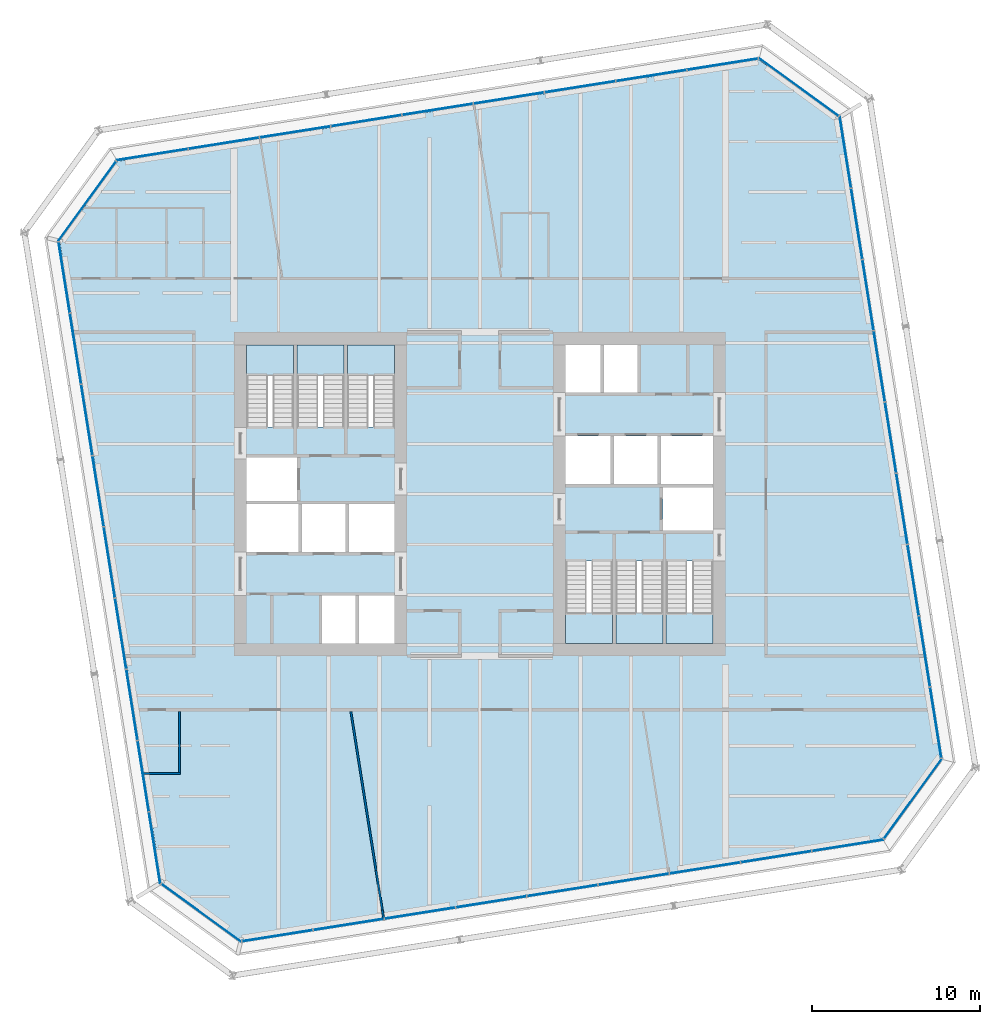
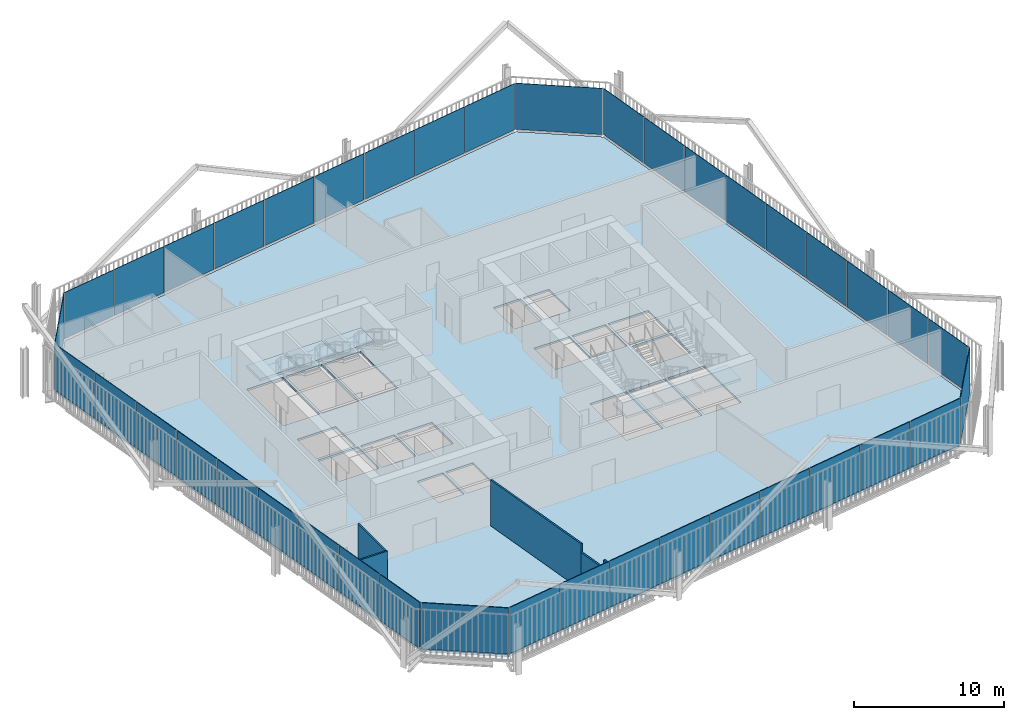
# One storey, part 14 of 19: 40 plates, 7 slabs, 5 walls, 14 elements without a shape of their own.
"""IFC4 building model written with IfcOpenShell, lengths in metres."""

from ifc_helpers import new_model, si_unit, direction, frame, frame_2d, origin, place, context, subcontext, project, spatial, polyline, rectangle, outline, extrude, material, layer, layer_set, type_object, element, aggregate, save


model = new_model("IFC4")

# Units and contexts
model_context = context("Model", 3, precision=1e-05, world=origin(), true_north=direction((0.0, 1.0)))
body_context = subcontext(model_context, "Body", "Model", "MODEL_VIEW")
ifc_project = project(units=[si_unit("LENGTHUNIT", "METRE"), si_unit("AREAUNIT", "SQUARE_METRE"), si_unit("VOLUMEUNIT", "CUBIC_METRE"), si_unit("PLANEANGLEUNIT", "RADIAN"), si_unit("MASSUNIT", "GRAM", prefix="KILO")], contexts=[model_context])

# Site, building, storey
site_placement = place(None, origin())
site = spatial("IfcSite", under=ifc_project, at=site_placement, CompositionType="ELEMENT")
building_placement = place(site_placement, origin())
building = spatial("IfcBuilding", under=site, at=building_placement, Name="Millrace Tower", CompositionType="ELEMENT")
storey_placement = place(building_placement, frame((0.0, 0.0, 129.5)))
storey = spatial("IfcBuildingStorey", under=building, at=storey_placement, Name="L28", CompositionType="ELEMENT", Elevation=129.5)

# Curtain wall, plate
ifc_material_1 = material(Name="Aluminium and glass", Category="aluminium")
ifc_layer_1 = layer(ifc_material_1, 0.14990234375)
ifc_layer_set_1 = layer_set([ifc_layer_1], Name="Aluminium and glass")
curtain_wall_type = type_object("IfcCurtainWallType", Name="CW-1 office vision curtain wall", PredefinedType="NOTDEFINED", material=ifc_layer_set_1)
placement_1 = place(storey_placement, origin())
curtain_wall_1 = element("IfcCurtainWall", 1, at=placement_1, inside=storey, type_object=curtain_wall_type, Name="Curtain wall C-F01 L28", PredefinedType="NOTDEFINED")
ifc_material_2 = material(Name="Glass", Category="glass")
ifc_layer_2 = layer(ifc_material_2, 0.0439453125)
ifc_layer_set_2 = layer_set([ifc_layer_2], Name="Glass")
plate_type = type_object("IfcPlateType", Name="CW-1 office vision curtain wall triple-glazed vision panel", PredefinedType="CURTAIN_PANEL", material=ifc_layer_set_2)
placement_2 = place(storey_placement, frame((0.0, 0.0, 0.139892578125)))
plate_1 = element("IfcPlate", 2, at=placement_2, type_object=plate_type, Name="CW1 panel C-F01.1", PredefinedType="CURTAIN_PANEL", context=body_context, shape_type="SweptSolid", body=[
    extrude(outline(polyline([(-18.988037109375, -23.254638671875), (-14.260009765625, -26.689697265625), (-14.2490234375, -26.6435546875), (-18.962158203125, -23.218994140625), (-18.988037109375, -23.254638671875)])), origin(), (0.0, 0.0, 1.0), 3.760009765625),
])
aggregate(curtain_wall_1, [plate_1])

# Curtain wall, plates
curtain_wall_2 = element("IfcCurtainWall", 3, at=placement_1, inside=storey, type_object=curtain_wall_type, Name="Curtain wall C-F02 L28", PredefinedType="NOTDEFINED")
plate_2 = element("IfcPlate", 4, at=placement_2, type_object=plate_type, Name="CW1 panel C-F02.1", PredefinedType="CURTAIN_PANEL", context=body_context, shape_type="SweptSolid", body=[
    extrude(outline(polyline([(-14.15625, -26.67333984375), (-9.973388671875, -26.0107421875), (-9.980224609375, -25.96728515625), (-14.1630859375, -26.6298828125), (-14.15625, -26.67333984375)])), origin(), (0.0, 0.0, 1.0), 3.760009765625),
])
plate_3 = element("IfcPlate", 5, at=placement_2, type_object=plate_type, Name="CW1 panel C-F02.2", PredefinedType="CURTAIN_PANEL", context=body_context, shape_type="SweptSolid", body=[
    extrude(outline(polyline([(-9.9091796875, -26.000732421875), (-5.726318359375, -25.338134765625), (-5.733154296875, -25.294677734375), (-9.916015625, -25.957275390625), (-9.9091796875, -26.000732421875)])), origin(), (0.0, 0.0, 1.0), 3.760009765625),
])
plate_4 = element("IfcPlate", 6, at=placement_2, type_object=plate_type, Name="CW1 panel C-F02.3", PredefinedType="CURTAIN_PANEL", context=body_context, shape_type="SweptSolid", body=[
    extrude(outline(polyline([(-5.662109375, -25.327880859375), (-1.479248046875, -24.66552734375), (-1.486083984375, -24.6220703125), (-5.6689453125, -25.284423828125), (-5.662109375, -25.327880859375)])), origin(), (0.0, 0.0, 1.0), 3.760009765625),
])
plate_5 = element("IfcPlate", 7, at=placement_2, type_object=plate_type, Name="CW1 panel C-F02.4", PredefinedType="CURTAIN_PANEL", context=body_context, shape_type="SweptSolid", body=[
    extrude(outline(polyline([(-1.4150390625, -24.6552734375), (2.767822265625, -23.992919921875), (2.760986328125, -23.949462890625), (-1.421875, -24.61181640625), (-1.4150390625, -24.6552734375)])), origin(), (0.0, 0.0, 1.0), 3.760009765625),
])
plate_6 = element("IfcPlate", 8, at=placement_2, type_object=plate_type, Name="CW1 panel C-F02.5", PredefinedType="CURTAIN_PANEL", context=body_context, shape_type="SweptSolid", body=[
    extrude(outline(polyline([(2.83203125, -23.982666015625), (7.014892578125, -23.320068359375), (7.008056640625, -23.276611328125), (2.8251953125, -23.939208984375), (2.83203125, -23.982666015625)])), origin(), (0.0, 0.0, 1.0), 3.760009765625),
])
plate_7 = element("IfcPlate", 9, at=placement_2, type_object=plate_type, Name="CW1 panel C-F02.6", PredefinedType="CURTAIN_PANEL", context=body_context, shape_type="SweptSolid", body=[
    extrude(outline(polyline([(7.0791015625, -23.31005859375), (11.261962890625, -22.6474609375), (11.255126953125, -22.60400390625), (7.072265625, -23.2666015625), (7.0791015625, -23.31005859375)])), origin(), (0.0, 0.0, 1.0), 3.760009765625),
])
plate_8 = element("IfcPlate", 10, at=placement_2, type_object=plate_type, Name="CW1 panel C-F02.7", PredefinedType="CURTAIN_PANEL", context=body_context, shape_type="SweptSolid", body=[
    extrude(outline(polyline([(11.326171875, -22.63720703125), (15.509033203125, -21.974853515625), (15.502197265625, -21.931396484375), (11.3193359375, -22.59375), (11.326171875, -22.63720703125)])), origin(), (0.0, 0.0, 1.0), 3.760009765625),
])
plate_9 = element("IfcPlate", 11, at=placement_2, type_object=plate_type, Name="CW1 panel C-F02.8", PredefinedType="CURTAIN_PANEL", context=body_context, shape_type="SweptSolid", body=[
    extrude(outline(polyline([(15.5732421875, -21.964599609375), (19.756103515625, -21.30224609375), (19.749267578125, -21.2587890625), (15.56640625, -21.921142578125), (15.5732421875, -21.964599609375)])), origin(), (0.0, 0.0, 1.0), 3.760009765625),
])
plate_10 = element("IfcPlate", 12, at=placement_2, type_object=plate_type, Name="CW1 panel C-F02.9", PredefinedType="CURTAIN_PANEL", context=body_context, shape_type="SweptSolid", body=[
    extrude(outline(polyline([(19.8203125, -21.2919921875), (24.042724609375, -20.623291015625), (24.01806640625, -20.58251953125), (19.8134765625, -21.24853515625), (19.8203125, -21.2919921875)])), origin(), (0.0, 0.0, 1.0), 3.760009765625),
])
aggregate(curtain_wall_2, [plate_2, plate_3, plate_4, plate_5, plate_6, plate_7, plate_8, plate_9, plate_10])

# Curtain wall, plate
curtain_wall_3 = element("IfcCurtainWall", 13, at=placement_1, inside=storey, type_object=curtain_wall_type, Name="Curtain wall C-F03 L28", PredefinedType="NOTDEFINED")
plate_11 = element("IfcPlate", 14, at=placement_2, type_object=plate_type, Name="CW1 panel C-F03.1", PredefinedType="CURTAIN_PANEL", context=body_context, shape_type="SweptSolid", body=[
    extrude(outline(polyline([(24.104736328125, -20.5380859375), (27.539794921875, -15.81005859375), (27.493408203125, -15.799072265625), (24.069091796875, -20.51220703125), (24.104736328125, -20.5380859375)])), origin(), (0.0, 0.0, 1.0), 3.760009765625),
])
aggregate(curtain_wall_3, [plate_11])

# Curtain wall, plates
curtain_wall_4 = element("IfcCurtainWall", 15, at=placement_1, inside=storey, type_object=curtain_wall_type, Name="Curtain wall C-F04 L28", PredefinedType="NOTDEFINED")
plate_12 = element("IfcPlate", 16, at=placement_2, type_object=plate_type, Name="CW1 panel C-F04.1", PredefinedType="CURTAIN_PANEL", context=body_context, shape_type="SweptSolid", body=[
    extrude(outline(polyline([(27.5234375, -15.706298828125), (26.86083984375, -11.5234375), (26.8173828125, -11.5302734375), (27.47998046875, -15.713134765625), (27.5234375, -15.706298828125)])), origin(), (0.0, 0.0, 1.0), 3.760009765625),
])
plate_13 = element("IfcPlate", 17, at=placement_2, type_object=plate_type, Name="CW1 panel C-F04.2", PredefinedType="CURTAIN_PANEL", context=body_context, shape_type="SweptSolid", body=[
    extrude(outline(polyline([(26.8505859375, -11.459228515625), (26.188232421875, -7.2763671875), (26.144775390625, -7.283203125), (26.80712890625, -11.466064453125), (26.8505859375, -11.459228515625)])), origin(), (0.0, 0.0, 1.0), 3.760009765625),
])
plate_14 = element("IfcPlate", 18, at=placement_2, type_object=plate_type, Name="CW1 panel C-F04.3", PredefinedType="CURTAIN_PANEL", context=body_context, shape_type="SweptSolid", body=[
    extrude(outline(polyline([(26.177978515625, -7.212158203125), (25.515380859375, -3.029296875), (25.471923828125, -3.0361328125), (26.134521484375, -7.218994140625), (26.177978515625, -7.212158203125)])), origin(), (0.0, 0.0, 1.0), 3.760009765625),
])
plate_15 = element("IfcPlate", 19, at=placement_2, type_object=plate_type, Name="CW1 panel C-F04.4", PredefinedType="CURTAIN_PANEL", context=body_context, shape_type="SweptSolid", body=[
    extrude(outline(polyline([(25.50537109375, -2.965087890625), (24.8427734375, 1.2177734375), (24.79931640625, 1.2109375), (25.4619140625, -2.971923828125), (25.50537109375, -2.965087890625)])), origin(), (0.0, 0.0, 1.0), 3.760009765625),
])
plate_16 = element("IfcPlate", 20, at=placement_2, type_object=plate_type, Name="CW1 panel C-F04.5", PredefinedType="CURTAIN_PANEL", context=body_context, shape_type="SweptSolid", body=[
    extrude(outline(polyline([(24.832763671875, 1.281982421875), (24.170166015625, 5.46484375), (24.126708984375, 5.4580078125), (24.789306640625, 1.275146484375), (24.832763671875, 1.281982421875)])), origin(), (0.0, 0.0, 1.0), 3.760009765625),
])
plate_17 = element("IfcPlate", 21, at=placement_2, type_object=plate_type, Name="CW1 panel C-F04.6", PredefinedType="CURTAIN_PANEL", context=body_context, shape_type="SweptSolid", body=[
    extrude(outline(polyline([(24.159912109375, 5.529052734375), (23.49755859375, 9.7119140625), (23.4541015625, 9.705078125), (24.116455078125, 5.522216796875), (24.159912109375, 5.529052734375)])), origin(), (0.0, 0.0, 1.0), 3.760009765625),
])
plate_18 = element("IfcPlate", 22, at=placement_2, type_object=plate_type, Name="CW1 panel C-F04.7", PredefinedType="CURTAIN_PANEL", context=body_context, shape_type="SweptSolid", body=[
    extrude(outline(polyline([(23.4873046875, 9.776123046875), (22.82470703125, 13.958984375), (22.78125, 13.9521484375), (23.44384765625, 9.769287109375), (23.4873046875, 9.776123046875)])), origin(), (0.0, 0.0, 1.0), 3.760009765625),
])
plate_19 = element("IfcPlate", 23, at=placement_2, type_object=plate_type, Name="CW1 panel C-F04.8", PredefinedType="CURTAIN_PANEL", context=body_context, shape_type="SweptSolid", body=[
    extrude(outline(polyline([(22.814697265625, 14.023193359375), (22.152099609375, 18.2060546875), (22.108642578125, 18.19921875), (22.771240234375, 14.016357421875), (22.814697265625, 14.023193359375)])), origin(), (0.0, 0.0, 1.0), 3.760009765625),
])
plate_20 = element("IfcPlate", 24, at=placement_2, type_object=plate_type, Name="CW1 panel C-F04.9", PredefinedType="CURTAIN_PANEL", context=body_context, shape_type="SweptSolid", body=[
    extrude(outline(polyline([(22.14208984375, 18.270263671875), (21.47314453125, 22.492919921875), (21.4326171875, 22.468017578125), (22.0986328125, 18.263427734375), (22.14208984375, 18.270263671875)])), origin(), (0.0, 0.0, 1.0), 3.760009765625),
])
aggregate(curtain_wall_4, [plate_12, plate_13, plate_14, plate_15, plate_16, plate_17, plate_18, plate_19, plate_20])

# Curtain wall, plate
curtain_wall_5 = element("IfcCurtainWall", 25, at=placement_1, inside=storey, type_object=curtain_wall_type, Name="Curtain wall C-F05 L28", PredefinedType="NOTDEFINED")
plate_21 = element("IfcPlate", 26, at=placement_2, type_object=plate_type, Name="CW1 panel C-F05.1", PredefinedType="CURTAIN_PANEL", context=body_context, shape_type="SweptSolid", body=[
    extrude(outline(polyline([(21.38818359375, 22.5546875), (16.66015625, 25.98974609375), (16.64892578125, 25.943359375), (21.3623046875, 22.51904296875), (21.38818359375, 22.5546875)])), origin(), (0.0, 0.0, 1.0), 3.760009765625),
])
aggregate(curtain_wall_5, [plate_21])

# Curtain wall, plates
curtain_wall_6 = element("IfcCurtainWall", 27, at=placement_1, inside=storey, type_object=curtain_wall_type, Name="Curtain wall C-F06 L28", PredefinedType="NOTDEFINED")
plate_22 = element("IfcPlate", 28, at=placement_2, type_object=plate_type, Name="CW1 panel C-F06.1", PredefinedType="CURTAIN_PANEL", context=body_context, shape_type="SweptSolid", body=[
    extrude(outline(polyline([(16.55615234375, 25.973388671875), (12.373291015625, 25.310791015625), (12.380126953125, 25.267333984375), (16.56298828125, 25.929931640625), (16.55615234375, 25.973388671875)])), origin(), (0.0, 0.0, 1.0), 3.760009765625),
])
plate_23 = element("IfcPlate", 29, at=placement_2, type_object=plate_type, Name="CW1 panel C-F06.2", PredefinedType="CURTAIN_PANEL", context=body_context, shape_type="SweptSolid", body=[
    extrude(outline(polyline([(12.30908203125, 25.300537109375), (8.126220703125, 24.63818359375), (8.133056640625, 24.5947265625), (12.31591796875, 25.257080078125), (12.30908203125, 25.300537109375)])), origin(), (0.0, 0.0, 1.0), 3.760009765625),
])
plate_24 = element("IfcPlate", 30, at=placement_2, type_object=plate_type, Name="CW1 panel C-F06.3", PredefinedType="CURTAIN_PANEL", context=body_context, shape_type="SweptSolid", body=[
    extrude(outline(polyline([(8.06201171875, 24.6279296875), (3.879150390625, 23.965576171875), (3.885986328125, 23.922119140625), (8.06884765625, 24.58447265625), (8.06201171875, 24.6279296875)])), origin(), (0.0, 0.0, 1.0), 3.760009765625),
])
plate_25 = element("IfcPlate", 31, at=placement_2, type_object=plate_type, Name="CW1 panel C-F06.4", PredefinedType="CURTAIN_PANEL", context=body_context, shape_type="SweptSolid", body=[
    extrude(outline(polyline([(3.81494140625, 23.955322265625), (-0.367919921875, 23.292724609375), (-0.361083984375, 23.249267578125), (3.82177734375, 23.911865234375), (3.81494140625, 23.955322265625)])), origin(), (0.0, 0.0, 1.0), 3.760009765625),
])
plate_26 = element("IfcPlate", 32, at=placement_2, type_object=plate_type, Name="CW1 panel C-F06.5", PredefinedType="CURTAIN_PANEL", context=body_context, shape_type="SweptSolid", body=[
    extrude(outline(polyline([(-0.43212890625, 23.28271484375), (-4.614990234375, 22.6201171875), (-4.60791015625, 22.57666015625), (-0.42529296875, 23.2392578125), (-0.43212890625, 23.28271484375)])), origin(), (0.0, 0.0, 1.0), 3.760009765625),
])
plate_27 = element("IfcPlate", 33, at=placement_2, type_object=plate_type, Name="CW1 panel C-F06.6", PredefinedType="CURTAIN_PANEL", context=body_context, shape_type="SweptSolid", body=[
    extrude(outline(polyline([(-4.67919921875, 22.60986328125), (-8.862060546875, 21.947509765625), (-8.85498046875, 21.904052734375), (-4.672119140625, 22.56640625), (-4.67919921875, 22.60986328125)])), origin(), (0.0, 0.0, 1.0), 3.760009765625),
])
plate_28 = element("IfcPlate", 34, at=placement_2, type_object=plate_type, Name="CW1 panel C-F06.7", PredefinedType="CURTAIN_PANEL", context=body_context, shape_type="SweptSolid", body=[
    extrude(outline(polyline([(-8.92626953125, 21.937255859375), (-13.109130859375, 21.27490234375), (-13.10205078125, 21.2314453125), (-8.919189453125, 21.893798828125), (-8.92626953125, 21.937255859375)])), origin(), (0.0, 0.0, 1.0), 3.760009765625),
])
plate_29 = element("IfcPlate", 35, at=placement_2, type_object=plate_type, Name="CW1 panel C-F06.8", PredefinedType="CURTAIN_PANEL", context=body_context, shape_type="SweptSolid", body=[
    extrude(outline(polyline([(-13.17333984375, 21.2646484375), (-17.356201171875, 20.60205078125), (-17.34912109375, 20.55859375), (-13.166259765625, 21.22119140625), (-13.17333984375, 21.2646484375)])), origin(), (0.0, 0.0, 1.0), 3.760009765625),
])
plate_30 = element("IfcPlate", 36, at=placement_2, type_object=plate_type, Name="CW1 panel C-F06.9", PredefinedType="CURTAIN_PANEL", context=body_context, shape_type="SweptSolid", body=[
    extrude(outline(polyline([(-17.42041015625, 20.592041015625), (-21.642822265625, 19.923095703125), (-21.617919921875, 19.882568359375), (-17.413330078125, 20.548583984375), (-17.42041015625, 20.592041015625)])), origin(), (0.0, 0.0, 1.0), 3.760009765625),
])
aggregate(curtain_wall_6, [plate_22, plate_23, plate_24, plate_25, plate_26, plate_27, plate_28, plate_29, plate_30])

# Curtain wall, plate
curtain_wall_7 = element("IfcCurtainWall", 37, at=placement_1, inside=storey, type_object=curtain_wall_type, Name="Curtain wall C-F07 L28", PredefinedType="NOTDEFINED")
plate_31 = element("IfcPlate", 38, at=placement_2, type_object=plate_type, Name="CW1 panel C-F07.1", PredefinedType="CURTAIN_PANEL", context=body_context, shape_type="SweptSolid", body=[
    extrude(outline(polyline([(-21.70458984375, 19.838134765625), (-25.139892578125, 15.110107421875), (-25.093505859375, 15.098876953125), (-21.6689453125, 19.812255859375), (-21.70458984375, 19.838134765625)])), origin(), (0.0, 0.0, 1.0), 3.760009765625),
])
aggregate(curtain_wall_7, [plate_31])

# Curtain wall, plates
curtain_wall_8 = element("IfcCurtainWall", 39, at=placement_1, inside=storey, type_object=curtain_wall_type, Name="Curtain wall C-F08 L28", PredefinedType="NOTDEFINED")
plate_32 = element("IfcPlate", 40, at=placement_2, type_object=plate_type, Name="CW1 panel C-F08.1", PredefinedType="CURTAIN_PANEL", context=body_context, shape_type="SweptSolid", body=[
    extrude(outline(polyline([(-25.123291015625, 15.006103515625), (-24.4609375, 10.8232421875), (-24.41748046875, 10.830322265625), (-25.079833984375, 15.01318359375), (-25.123291015625, 15.006103515625)])), origin(), (0.0, 0.0, 1.0), 3.760009765625),
])
plate_33 = element("IfcPlate", 41, at=placement_2, type_object=plate_type, Name="CW1 panel C-F08.2", PredefinedType="CURTAIN_PANEL", context=body_context, shape_type="SweptSolid", body=[
    extrude(outline(polyline([(-24.45068359375, 10.759033203125), (-23.7880859375, 6.576171875), (-23.74462890625, 6.583251953125), (-24.4072265625, 10.76611328125), (-24.45068359375, 10.759033203125)])), origin(), (0.0, 0.0, 1.0), 3.760009765625),
])
plate_34 = element("IfcPlate", 42, at=placement_2, type_object=plate_type, Name="CW1 panel C-F08.3", PredefinedType="CURTAIN_PANEL", context=body_context, shape_type="SweptSolid", body=[
    extrude(outline(polyline([(-23.778076171875, 6.511962890625), (-23.115478515625, 2.3291015625), (-23.072021484375, 2.336181640625), (-23.734619140625, 6.51904296875), (-23.778076171875, 6.511962890625)])), origin(), (0.0, 0.0, 1.0), 3.760009765625),
])
plate_35 = element("IfcPlate", 43, at=placement_2, type_object=plate_type, Name="CW1 panel C-F08.4", PredefinedType="CURTAIN_PANEL", context=body_context, shape_type="SweptSolid", body=[
    extrude(outline(polyline([(-23.105224609375, 2.264892578125), (-22.44287109375, -1.91796875), (-22.3994140625, -1.910888671875), (-23.061767578125, 2.27197265625), (-23.105224609375, 2.264892578125)])), origin(), (0.0, 0.0, 1.0), 3.760009765625),
])
plate_36 = element("IfcPlate", 44, at=placement_2, type_object=plate_type, Name="CW1 panel C-F08.5", PredefinedType="CURTAIN_PANEL", context=body_context, shape_type="SweptSolid", body=[
    extrude(outline(polyline([(-22.4326171875, -1.98193359375), (-21.770263671875, -6.164794921875), (-21.726806640625, -6.157958984375), (-22.38916015625, -1.97509765625), (-22.4326171875, -1.98193359375)])), origin(), (0.0, 0.0, 1.0), 3.760009765625),
])
plate_37 = element("IfcPlate", 45, at=placement_2, type_object=plate_type, Name="CW1 panel C-F08.6", PredefinedType="CURTAIN_PANEL", context=body_context, shape_type="SweptSolid", body=[
    extrude(outline(polyline([(-21.760009765625, -6.22900390625), (-21.097412109375, -10.411865234375), (-21.053955078125, -10.405029296875), (-21.716552734375, -6.22216796875), (-21.760009765625, -6.22900390625)])), origin(), (0.0, 0.0, 1.0), 3.760009765625),
])
plate_38 = element("IfcPlate", 46, at=placement_2, type_object=plate_type, Name="CW1 panel C-F08.7", PredefinedType="CURTAIN_PANEL", context=body_context, shape_type="SweptSolid", body=[
    extrude(outline(polyline([(-21.08740234375, -10.47607421875), (-20.4248046875, -14.658935546875), (-20.38134765625, -14.652099609375), (-21.0439453125, -10.46923828125), (-21.08740234375, -10.47607421875)])), origin(), (0.0, 0.0, 1.0), 3.760009765625),
])
plate_39 = element("IfcPlate", 47, at=placement_2, type_object=plate_type, Name="CW1 panel C-F08.8", PredefinedType="CURTAIN_PANEL", context=body_context, shape_type="SweptSolid", body=[
    extrude(outline(polyline([(-20.41455078125, -14.72314453125), (-19.752197265625, -18.906005859375), (-19.708740234375, -18.899169921875), (-20.37109375, -14.71630859375), (-20.41455078125, -14.72314453125)])), origin(), (0.0, 0.0, 1.0), 3.760009765625),
])
plate_40 = element("IfcPlate", 48, at=placement_2, type_object=plate_type, Name="CW1 panel C-F08.9", PredefinedType="CURTAIN_PANEL", context=body_context, shape_type="SweptSolid", body=[
    extrude(outline(polyline([(-19.741943359375, -18.97021484375), (-19.0732421875, -23.19287109375), (-19.032470703125, -23.16796875), (-19.698486328125, -18.96337890625), (-19.741943359375, -18.97021484375)])), origin(), (0.0, 0.0, 1.0), 3.760009765625),
])
aggregate(curtain_wall_8, [plate_32, plate_33, plate_34, plate_35, plate_36, plate_37, plate_38, plate_39, plate_40])

# Slab
ifc_material_3 = material(Name="Concrete C35 on steel deck", Category="concrete")
ifc_layer_3 = layer(ifc_material_3, 0.159912109375)
ifc_layer_set_3 = layer_set([ifc_layer_3], Name="Concrete C35 on steel deck")
slab_type_1 = type_object("IfcSlabType", Name="Composite floor slab 160 mm", PredefinedType="FLOOR", material=ifc_layer_set_3)
slab_1_placement = place(storey_placement, frame((0.0, 0.0, -0.159912109375)))
element("IfcSlab", 49, at=slab_1_placement, inside=storey, type_object=slab_type_1, Name="SL-C-L28-S1", PredefinedType="FLOOR", context=body_context, shape_type="SweptSolid", body=[
    extrude(outline(polyline([(-18.983642578125, -23.137939453125), (-14.235595703125, -26.587646484375), (23.988037109375, -20.53369140625), (27.437744140625, -15.78564453125), (21.3837890625, 22.43798828125), (16.635498046875, 25.8876953125), (-21.587890625, 19.833740234375), (-25.03759765625, 15.08544921875), (-18.983642578125, -23.137939453125)]), holes=[polyline([(-9.39990234375, -8.89990234375), (-7.39990234375, -8.89990234375), (-7.39990234375, -6.050048828125), (-9.39990234375, -6.050048828125), (-9.39990234375, -8.89990234375)]), polyline([(-7.199951171875, -8.89990234375), (-5.10009765625, -8.89990234375), (-5.10009765625, -6.050048828125), (-7.199951171875, -6.050048828125), (-7.199951171875, -8.89990234375)]), polyline([(-13.89990234375, -3.449951171875), (-10.800048828125, -3.449951171875), (-10.800048828125, -0.60009765625), (-13.89990234375, -0.60009765625), (-13.89990234375, -3.449951171875)]), polyline([(-10.60009765625, -3.449951171875), (-8.0, -3.449951171875), (-8.0, -0.60009765625), (-10.60009765625, -0.60009765625), (-10.60009765625, -3.449951171875)]), polyline([(-7.800048828125, -3.449951171875), (-5.10009765625, -3.449951171875), (-5.10009765625, -0.60009765625), (-7.800048828125, -0.60009765625), (-7.800048828125, -3.449951171875)]), polyline([(-13.89990234375, -0.39990234375), (-10.89990234375, -0.39990234375), (-10.89990234375, 2.179931640625), (-13.89990234375, 2.179931640625), (-13.89990234375, -0.39990234375)]), polyline([(-13.89990234375, 4.0), (-11.10009765625, 4.0), (-11.10009765625, 8.89990234375), (-13.89990234375, 8.89990234375), (-13.89990234375, 4.0)]), polyline([(-10.89990234375, 4.0), (-8.10009765625, 4.0), (-8.10009765625, 8.89990234375), (-10.89990234375, 8.89990234375), (-10.89990234375, 4.0)]), polyline([(-7.89990234375, 4.0), (-5.10009765625, 4.0), (-5.10009765625, 8.89990234375), (-7.89990234375, 8.89990234375), (-7.89990234375, 4.0)]), polyline([(7.39990234375, 6.050048828125), (9.39990234375, 6.050048828125), (9.39990234375, 8.89990234375), (7.39990234375, 8.89990234375), (7.39990234375, 6.050048828125)]), polyline([(5.10009765625, 6.050048828125), (7.199951171875, 6.050048828125), (7.199951171875, 8.89990234375), (5.10009765625, 8.89990234375), (5.10009765625, 6.050048828125)]), polyline([(10.800048828125, 0.60009765625), (13.89990234375, 0.60009765625), (13.89990234375, 3.449951171875), (10.800048828125, 3.449951171875), (10.800048828125, 0.60009765625)]), polyline([(8.0, 0.60009765625), (10.60009765625, 0.60009765625), (10.60009765625, 3.449951171875), (8.0, 3.449951171875), (8.0, 0.60009765625)]), polyline([(5.10009765625, 0.60009765625), (7.800048828125, 0.60009765625), (7.800048828125, 3.449951171875), (5.10009765625, 3.449951171875), (5.10009765625, 0.60009765625)]), polyline([(10.89990234375, -2.179931640625), (13.89990234375, -2.179931640625), (13.89990234375, 0.39990234375), (10.89990234375, 0.39990234375), (10.89990234375, -2.179931640625)]), polyline([(11.10009765625, -8.89990234375), (13.89990234375, -8.89990234375), (13.89990234375, -4.0), (11.10009765625, -4.0), (11.10009765625, -8.89990234375)]), polyline([(8.10009765625, -8.89990234375), (10.89990234375, -8.89990234375), (10.89990234375, -4.0), (8.10009765625, -4.0), (8.10009765625, -8.89990234375)]), polyline([(5.10009765625, -8.89990234375), (7.89990234375, -8.89990234375), (7.89990234375, -4.0), (5.10009765625, -4.0), (5.10009765625, -8.89990234375)])]), origin(), (0.0, 0.0, 1.0), 0.159912109375),
])

# Stair, slab
ifc_material_4 = material(Name="Concrete C35", Category="concrete")
stair_type = type_object("IfcStairType", Name="Exit stair", PredefinedType="HALF_TURN_STAIR", material=ifc_material_4)
stair_1 = element("IfcStair", 50, at=placement_1, inside=storey, type_object=stair_type, Name="Stair 1 W L28", PredefinedType="HALF_TURN_STAIR")
ifc_material_5 = material(Name="Concrete C40", Category="concrete")
ifc_layer_4 = layer(ifc_material_5, 0.199951171875)
ifc_layer_set_4 = layer_set([ifc_layer_4], Name="Concrete C40")
slab_type_2 = type_object("IfcSlabType", Name="Stair landing", PredefinedType="LANDING", material=ifc_layer_set_4)
placement_3 = place(storey_placement, frame((0.0, 0.0, 1.75)))
slab_2 = element("IfcSlab", 51, at=placement_3, type_object=slab_type_2, Name="ST12 landing 1", PredefinedType="LANDING", context=body_context, shape_type="SweptSolid", body=[
    extrude(outline(polyline([(-13.89990234375, 7.080078125), (-11.10009765625, 7.080078125), (-11.10009765625, 8.89990234375), (-13.89990234375, 8.89990234375), (-13.89990234375, 7.080078125)])), origin(), (0.0, 0.0, 1.0), 0.199951171875),
])
aggregate(stair_1, [slab_2])

stair_2 = element("IfcStair", 52, at=placement_1, inside=storey, type_object=stair_type, Name="Stair 2 W L28", PredefinedType="HALF_TURN_STAIR")
slab_3 = element("IfcSlab", 53, at=placement_3, type_object=slab_type_2, Name="ST12 landing 1", PredefinedType="LANDING", context=body_context, shape_type="SweptSolid", body=[
    extrude(outline(polyline([(-10.89990234375, 7.080078125), (-8.10009765625, 7.080078125), (-8.10009765625, 8.89990234375), (-10.89990234375, 8.89990234375), (-10.89990234375, 7.080078125)])), origin(), (0.0, 0.0, 1.0), 0.199951171875),
])
aggregate(stair_2, [slab_3])

stair_3 = element("IfcStair", 54, at=placement_1, inside=storey, type_object=stair_type, Name="Stair 3 W L28", PredefinedType="HALF_TURN_STAIR")
slab_4 = element("IfcSlab", 55, at=placement_3, type_object=slab_type_2, Name="ST12 landing 1", PredefinedType="LANDING", context=body_context, shape_type="SweptSolid", body=[
    extrude(outline(polyline([(-7.89990234375, 7.080078125), (-5.10009765625, 7.080078125), (-5.10009765625, 8.89990234375), (-7.89990234375, 8.89990234375), (-7.89990234375, 7.080078125)])), origin(), (0.0, 0.0, 1.0), 0.199951171875),
])
aggregate(stair_3, [slab_4])

stair_4 = element("IfcStair", 56, at=placement_1, inside=storey, type_object=stair_type, Name="Stair 1 E L28", PredefinedType="HALF_TURN_STAIR")
slab_5 = element("IfcSlab", 57, at=placement_3, type_object=slab_type_2, Name="ST12 landing 1", PredefinedType="LANDING", context=body_context, shape_type="SweptSolid", body=[
    extrude(outline(polyline([(11.10009765625, -8.89990234375), (13.89990234375, -8.89990234375), (13.89990234375, -7.080078125), (11.10009765625, -7.080078125), (11.10009765625, -8.89990234375)])), origin(), (0.0, 0.0, 1.0), 0.199951171875),
])
aggregate(stair_4, [slab_5])

stair_5 = element("IfcStair", 58, at=placement_1, inside=storey, type_object=stair_type, Name="Stair 2 E L28", PredefinedType="HALF_TURN_STAIR")
slab_6 = element("IfcSlab", 59, at=placement_3, type_object=slab_type_2, Name="ST12 landing 1", PredefinedType="LANDING", context=body_context, shape_type="SweptSolid", body=[
    extrude(outline(polyline([(8.10009765625, -8.89990234375), (10.89990234375, -8.89990234375), (10.89990234375, -7.080078125), (8.10009765625, -7.080078125), (8.10009765625, -8.89990234375)])), origin(), (0.0, 0.0, 1.0), 0.199951171875),
])
aggregate(stair_5, [slab_6])

stair_6 = element("IfcStair", 60, at=placement_1, inside=storey, type_object=stair_type, Name="Stair 3 E L28", PredefinedType="HALF_TURN_STAIR")
slab_7 = element("IfcSlab", 61, at=placement_3, type_object=slab_type_2, Name="ST12 landing 1", PredefinedType="LANDING", context=body_context, shape_type="SweptSolid", body=[
    extrude(outline(polyline([(5.10009765625, -8.89990234375), (7.89990234375, -8.89990234375), (7.89990234375, -7.080078125), (5.10009765625, -7.080078125), (5.10009765625, -8.89990234375)])), origin(), (0.0, 0.0, 1.0), 0.199951171875),
])
aggregate(stair_6, [slab_7])

# Walls
ifc_material_6 = material(Name="Gypsum board partition")
ifc_layer_5 = layer(ifc_material_6, 0.1201171875)
ifc_layer_set_5 = layer_set([ifc_layer_5], Name="Gypsum board partition")
wall_type = type_object("IfcWallType", Name="Partition wall 120", PredefinedType="PARTITIONING", material=ifc_layer_set_5)
wall_1_placement = place(storey_placement, frame((-7.68896484375, -12.948974609375, 0.0), z_axis=(0.0, 0.0, 1.0), x_axis=(0.156444573318, -0.987686739548, 0.0)))
element("IfcWall", 62, at=wall_1_placement, inside=storey, type_object=wall_type, Name="Partition wall L28", PredefinedType="PARTITIONING", context=body_context, shape_type="SweptSolid", body=[
    extrude(rectangle(XDim=9.597412109375, YDim=0.1201171875, at=frame_2d((4.798828125, 0.0))), origin(), (0.0, 0.0, 1.0), 3.739990234375),
])
wall_2_placement = place(storey_placement, frame((-6.1875, -22.42822265625, 0.0), z_axis=(0.0, 0.0, 1.0), x_axis=(0.156401777573, -0.987693517227, 0.0)))
element("IfcWall", 63, at=wall_2_placement, inside=storey, type_object=wall_type, Name="Partition wall L28", PredefinedType="PARTITIONING", context=body_context, shape_type="SweptSolid", body=[
    extrude(rectangle(XDim=2.397705078125, YDim=0.1201171875, at=frame_2d((1.19873046875, 0.0))), origin(), (0.0, 0.0, 1.0), 3.046630859375),
])
wall_3_placement = place(storey_placement, frame((-5.8125, -24.79638671875, 0.0), z_axis=(0.0, 0.0, 1.0), x_axis=(0.156665493816, -0.987651721533, 0.0)))
element("IfcWall", 64, at=wall_3_placement, inside=storey, type_object=wall_type, Name="Partition wall L28", PredefinedType="PARTITIONING", context=body_context, shape_type="SweptSolid", body=[
    extrude(rectangle(XDim=0.4814453125, YDim=0.1201171875, at=frame_2d((0.24072265625, 0.0))), origin(), (0.0, 0.0, 1.0), 3.739990234375),
])
wall_4_placement = place(storey_placement, frame((-20.041748046875, -16.64990234375, 0.0), z_axis=(0.0, 0.0, 1.0), x_axis=(1.0, 0.0, 0.0)))
element("IfcWall", 65, at=wall_4_placement, inside=storey, type_object=wall_type, Name="Partition wall L28", PredefinedType="PARTITIONING", context=body_context, shape_type="SweptSolid", body=[
    extrude(rectangle(XDim=2.208740234375, YDim=0.1201171875, at=frame_2d((1.1044921875, 0.0))), origin(), (0.0, 0.0, 1.0), 3.739990234375),
])
wall_5_placement = place(storey_placement, frame((-17.89306640625, -16.590087890625, 0.0), z_axis=(0.0, 0.0, 1.0), x_axis=(0.0, 1.0, 0.0)))
element("IfcWall", 66, at=wall_5_placement, inside=storey, type_object=wall_type, Name="Partition wall L28", PredefinedType="PARTITIONING", context=body_context, shape_type="SweptSolid", body=[
    extrude(rectangle(XDim=3.64013671875, YDim=0.1201171875, at=frame_2d((1.820068359375, 0.0))), origin(), (0.0, 0.0, 1.0), 3.739990234375),
])

save(model, "model.ifc")
